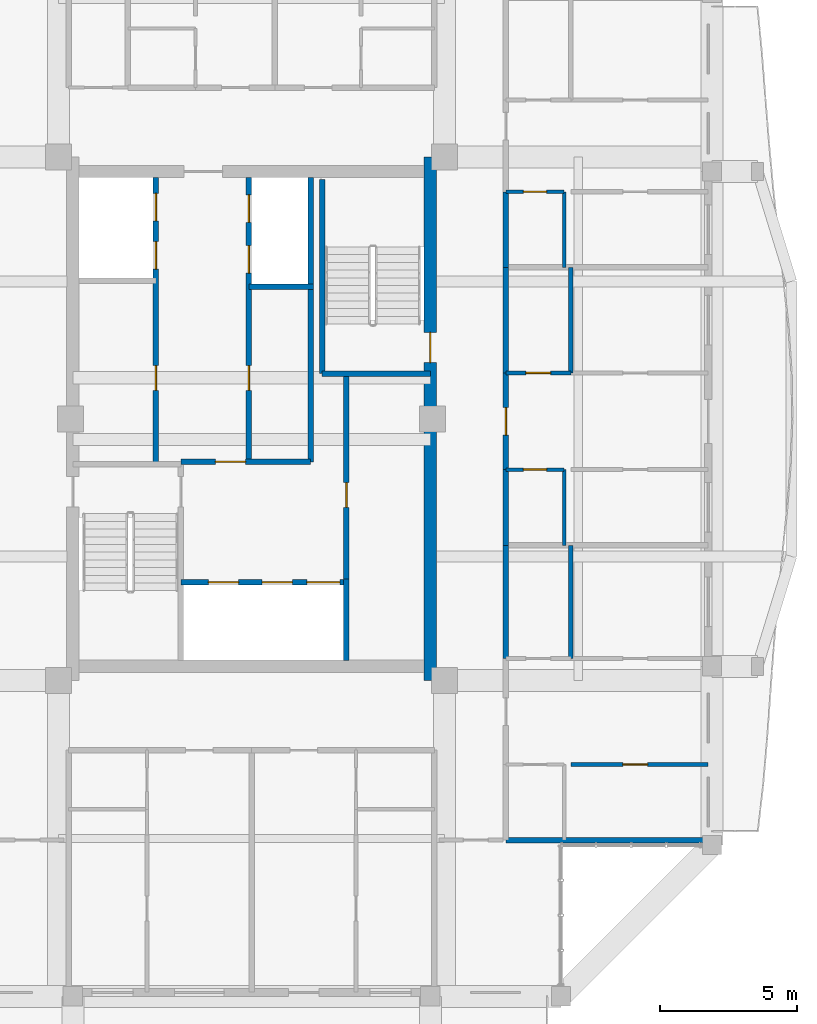
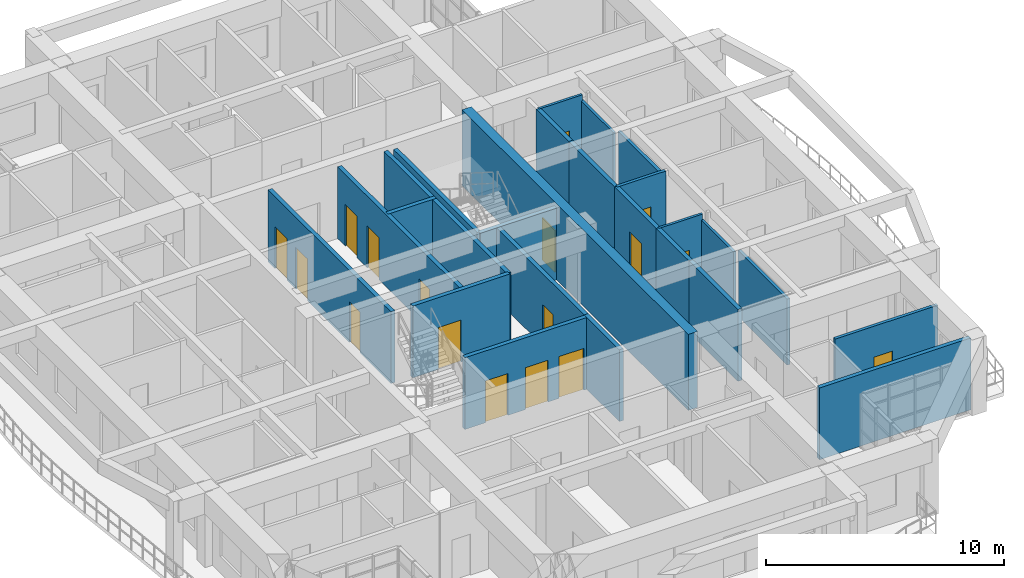
# One storey, part 18 of 27: 26 walls, 17 doors, 17 openings.
"""IFC4 building model written with IfcOpenShell, lengths in metres."""

from ifc_helpers import new_model, si_unit, direction, frame, frame_2d, origin, place, context, subcontext, project, spatial, rectangle, extrude, source, transform, mapped, material, layer, layer_set, type_object, element, fill, save


model = new_model("IFC4")

# Units and contexts
model_context = context("Model", 3, precision=1e-05, world=origin(), true_north=direction((0.0, 1.0)))
body_context = subcontext(model_context, "Body", "Model", "MODEL_VIEW")
ifc_project = project(units=[si_unit("LENGTHUNIT", "METRE"), si_unit("AREAUNIT", "SQUARE_METRE"), si_unit("VOLUMEUNIT", "CUBIC_METRE"), si_unit("PLANEANGLEUNIT", "RADIAN"), si_unit("MASSUNIT", "GRAM", prefix="KILO")], contexts=[model_context])

# Site, building, storey
site_placement = place(None, origin())
site = spatial("IfcSite", under=ifc_project, at=site_placement, CompositionType="ELEMENT")
building_placement = place(site_placement, origin())
building = spatial("IfcBuilding", under=site, at=building_placement, Name="Saelheon Loggia Tower", CompositionType="ELEMENT")
storey_placement = place(building_placement, frame((0.0, 0.0, 226.199951171875)))
storey = spatial("IfcBuildingStorey", under=building, at=storey_placement, Name="L70", CompositionType="ELEMENT", Elevation=226.199951171875)

# Wall, opening, door
ifc_material_1 = material(Name="Concrete C45/55", Category="concrete")
ifc_layer_1 = layer(ifc_material_1, 0.449951171875)
ifc_layer_set_1 = layer_set([ifc_layer_1], Name="Concrete C45/55")
wall_type_1 = type_object("IfcWallType", Name="Wall_CoreShear_450", PredefinedType="SHEAR", material=ifc_layer_set_1)
wall_1_placement = place(storey_placement, frame((44.5, 17.47998046875, 0.0), z_axis=(0.0, 0.0, 1.0), x_axis=(0.0, 1.0, 0.0)))
wall_1 = element("IfcWall", 1, at=wall_1_placement, inside=storey, type_object=wall_type_1, Name="L70 Core Shear Wall East", PredefinedType="SHEAR", context=body_context, shape_type="SweptSolid", body=[
    extrude(rectangle(XDim=19.0400390625, YDim=0.449951171875, at=frame_2d((9.52001953125, 0.0))), origin(), (0.0, 0.0, 1.0), 3.900146484375),
])
opening_1_placement = place(wall_1_placement, frame((12.670166015625, 0.0, 0.0), z_axis=(0.0, 0.0, 1.0), x_axis=(-1.0, 0.0, 0.0)))
opening_1 = element("IfcOpeningElement", 2, at=opening_1_placement, cuts=wall_1, Name="Opening D-FD2", PredefinedType="OPENING", context=body_context, shape_type="SweptSolid", body=[
    extrude(rectangle(XDim=1.10009765625, YDim=2.14990234375, at=frame_2d((0.550048828125, 1.074951171875))), frame((0.0, 0.237060546875, 0.0), z_axis=(0.0, -1.0, 0.0), x_axis=(1.0, 0.0, 0.0)), (0.0, 0.0, 1.0), 0.473876953125),
])
ifc_material_2 = material(Name="Galvanised Steel Fire Door", Category="steel")
door_type_1 = type_object("IfcDoorType", Name="Door_Fire_FD60_1100", OperationType="NOTDEFINED", PredefinedType="DOOR", material=ifc_material_2)
shared_shape_1 = source(origin(), body_context, "Body", "SweptSolid", [
    extrude(rectangle(XDim=1.10009765625, YDim=2.14990234375, at=frame_2d((0.550048828125, 1.074951171875))), frame((0.0, 0.02490234375, 0.0), z_axis=(0.0, -1.0, 0.0), x_axis=(1.0, 0.0, 0.0)), (0.0, 0.0, 1.0), 0.050048828125),
])
door_1_placement = place(opening_1_placement, origin())
door_1 = element("IfcDoor", 3, at=door_1_placement, inside=storey, type_object=door_type_1, Name="L70 Stair ST2 Corridor Door", OperationType="SINGLE_SWING_RIGHT", OverallHeight=2.14990234375, OverallWidth=1.10009765625, PredefinedType="DOOR", context=body_context, shape_type="MappedRepresentation", body=[
    mapped(shared_shape_1, transform((0.0, 0.0, 0.0), scale=1.0)),
])
fill(opening_1, door_1)

# Wall
ifc_material_3 = material(Name="Lightweight Autoclaved Aerated Concrete Block and Acoustic Gypsum", Category="concrete")
ifc_layer_2 = layer(ifc_material_3, 0.14990234375)
ifc_layer_set_2 = layer_set([ifc_layer_2], Name="Lightweight Autoclaved Aerated Concrete Block and Acoustic Gypsum")
wall_type_2 = type_object("IfcWallType", Name="Wall_Part_150", PredefinedType="PARTITIONING", material=ifc_layer_set_2)
wall_2_placement = place(storey_placement, frame((49.610107421875, 18.280029296875, 0.0), z_axis=(0.0, 0.0, 1.0), x_axis=(0.0, 1.0, 0.0)))
element("IfcWall", 4, at=wall_2_placement, inside=storey, type_object=wall_type_2, Name="L70 E Partition V07", PredefinedType="PARTITIONING", context=body_context, shape_type="SweptSolid", body=[
    extrude(rectangle(XDim=4.1240234375, YDim=0.14990234375, at=frame_2d((2.06201171875, 0.0))), origin(), (0.0, 0.0, 1.0), 3.39013671875),
])

# Wall, opening, door
wall_3_placement = place(storey_placement, frame((49.610107421875, 14.429931640625, 0.0), z_axis=(0.0, 0.0, 1.0), x_axis=(1.0, 0.0, 0.0)))
wall_3 = element("IfcWall", 5, at=wall_3_placement, inside=storey, type_object=wall_type_2, Name="L70 E Partition U09", PredefinedType="PARTITIONING", context=body_context, shape_type="SweptSolid", body=[
    extrude(rectangle(XDim=4.989990234375, YDim=0.14990234375, at=frame_2d((2.4951171875, 0.0))), origin(), (0.0, 0.0, 1.0), 3.68994140625),
])
opening_2_placement = place(wall_3_placement, frame((1.89453125, 0.0, 0.0)))
opening_2 = element("IfcOpeningElement", 6, at=opening_2_placement, cuts=wall_3, Name="Opening D-IN2", PredefinedType="OPENING", context=body_context, shape_type="SweptSolid", body=[
    extrude(rectangle(XDim=0.89990234375, YDim=2.10009765625, at=frame_2d((0.449951171875, 1.050048828125))), frame((0.0, 0.0869140625, 0.0), z_axis=(0.0, -1.0, 0.0), x_axis=(1.0, 0.0, 0.0)), (0.0, 0.0, 1.0), 0.173828125),
])
ifc_material_4 = material(Name="Engineered Oak Flush Door", Category="timber")
door_type_2 = type_object("IfcDoorType", Name="Door_Int_900", OperationType="NOTDEFINED", PredefinedType="DOOR", material=ifc_material_4)
shared_shape_2 = source(origin(), body_context, "Body", "SweptSolid", [
    extrude(rectangle(XDim=0.89990234375, YDim=2.10009765625, at=frame_2d((0.449951171875, 1.050048828125))), frame((0.0, 0.02490234375, 0.0), z_axis=(0.0, -1.0, 0.0), x_axis=(1.0, 0.0, 0.0)), (0.0, 0.0, 1.0), 0.050048828125),
])
door_2_placement = place(opening_2_placement, origin())
door_2 = element("IfcDoor", 7, at=door_2_placement, inside=storey, type_object=door_type_2, Name="Unit U08 Kitchen Door", OperationType="SINGLE_SWING_RIGHT", OverallHeight=2.10009765625, OverallWidth=0.89990234375, PredefinedType="DOOR", context=body_context, shape_type="MappedRepresentation", body=[
    mapped(shared_shape_2, transform((0.0, 0.0, 0.0), scale=1.0)),
])
fill(opening_2, door_2)

# Wall
wall_4_placement = place(storey_placement, frame((49.610107421875, 28.6728515625, 0.0), z_axis=(0.0, 0.0, 1.0), x_axis=(0.0, 1.0, 0.0)))
element("IfcWall", 8, at=wall_4_placement, inside=storey, type_object=wall_type_2, Name="L70 E Partition V17", PredefinedType="PARTITIONING", context=body_context, shape_type="SweptSolid", body=[
    extrude(rectangle(XDim=3.84228515625, YDim=0.14990234375, at=frame_2d((1.921142578125, 0.0))), origin(), (0.0, 0.0, 1.0), 3.39013671875),
])

# Wall, opening, door
wall_5_placement = place(storey_placement, frame((47.25, 28.6728515625, 0.0), z_axis=(0.0, 0.0, 1.0), x_axis=(1.0, 0.0, 0.0)))
wall_5 = element("IfcWall", 9, at=wall_5_placement, inside=storey, type_object=wall_type_2, Name="L70 E Partition U20", PredefinedType="PARTITIONING", context=body_context, shape_type="SweptSolid", body=[
    extrude(rectangle(XDim=2.360107421875, YDim=0.14990234375, at=frame_2d((1.18017578125, 0.0))), origin(), (0.0, 0.0, 1.0), 3.68994140625),
])
opening_3_placement = place(wall_5_placement, frame((0.72998046875, 0.0, 0.0)))
opening_3 = element("IfcOpeningElement", 10, at=opening_3_placement, cuts=wall_5, Name="Opening D-IN2", PredefinedType="OPENING", context=body_context, shape_type="SweptSolid", body=[
    extrude(rectangle(XDim=0.89990234375, YDim=2.10009765625, at=frame_2d((0.449951171875, 1.050048828125))), frame((0.0, 0.0869140625, 0.0), z_axis=(0.0, -1.0, 0.0), x_axis=(1.0, 0.0, 0.0)), (0.0, 0.0, 1.0), 0.173828125),
])
door_3_placement = place(opening_3_placement, origin())
door_3 = element("IfcDoor", 11, at=door_3_placement, inside=storey, type_object=door_type_2, Name="Unit U09 Dressing Closet Door", OperationType="SINGLE_SWING_RIGHT", OverallHeight=2.10009765625, OverallWidth=0.89990234375, PredefinedType="DOOR", context=body_context, shape_type="MappedRepresentation", body=[
    mapped(shared_shape_2, transform((0.0, 0.0, 0.0), scale=1.0)),
])
fill(opening_3, door_3)

# Walls
ifc_material_5 = material(Name="Double Acoustic Stud and Fireboard Partition", Category="gypsum")
ifc_layer_3 = layer(ifc_material_5, 0.199951171875)
ifc_layer_set_3 = layer_set([ifc_layer_3], Name="Double Acoustic Stud and Fireboard Partition")
wall_type_3 = type_object("IfcWallType", Name="Wall_Party_200", PredefinedType="PARTITIONING", material=ifc_layer_set_3)
wall_6_placement = place(storey_placement, frame((47.25, 11.679931640625, 0.0), z_axis=(0.0, 0.0, 1.0), x_axis=(1.0, 0.0, 0.0)))
element("IfcWall", 12, at=wall_6_placement, inside=storey, type_object=wall_type_3, Name="L70 E Partition U01", PredefinedType="PARTITIONING", context=body_context, shape_type="SweptSolid", body=[
    extrude(rectangle(XDim=7.35009765625, YDim=0.199951171875, at=frame_2d((3.675048828125, 0.0))), origin(), (0.0, 0.0, 1.0), 3.68994140625),
])
wall_7_placement = place(storey_placement, frame((47.25, 18.280029296875, 0.0), z_axis=(0.0, 0.0, 1.0), x_axis=(0.0, 1.0, 0.0)))
element("IfcWall", 13, at=wall_7_placement, inside=storey, type_object=wall_type_3, Name="L70 E Partition V05", PredefinedType="PARTITIONING", context=body_context, shape_type="SweptSolid", body=[
    extrude(rectangle(XDim=4.1240234375, YDim=0.199951171875, at=frame_2d((2.06201171875, 0.0))), origin(), (0.0, 0.0, 1.0), 3.68994140625),
])
wall_8_placement = place(storey_placement, frame((47.25, 22.404052734375, 0.0), z_axis=(0.0, 0.0, 1.0), x_axis=(0.0, 1.0, 0.0)))
element("IfcWall", 14, at=wall_8_placement, inside=storey, type_object=wall_type_3, Name="L70 E Partition V13", PredefinedType="PARTITIONING", context=body_context, shape_type="SweptSolid", body=[
    extrude(rectangle(XDim=2.75, YDim=0.199951171875, at=frame_2d((1.375, 0.0))), origin(), (0.0, 0.0, 1.0), 3.68994140625),
])

# Wall, opening, door
wall_9_placement = place(storey_placement, frame((47.25, 25.154052734375, 0.0), z_axis=(0.0, 0.0, 1.0), x_axis=(0.0, 1.0, 0.0)))
wall_9 = element("IfcWall", 15, at=wall_9_placement, inside=storey, type_object=wall_type_3, Name="L70 E Partition V14", PredefinedType="PARTITIONING", context=body_context, shape_type="SweptSolid", body=[
    extrude(rectangle(XDim=3.518798828125, YDim=0.199951171875, at=frame_2d((1.75927734375, 0.0))), origin(), (0.0, 0.0, 1.0), 3.68994140625),
])
opening_4_placement = place(wall_9_placement, frame((1.259521484375, 0.0, 0.0)))
opening_4 = element("IfcOpeningElement", 16, at=opening_4_placement, cuts=wall_9, Name="Opening D-FD1", PredefinedType="OPENING", context=body_context, shape_type="SweptSolid", body=[
    extrude(rectangle(XDim=1.0, YDim=2.14990234375, at=frame_2d((0.5, 1.074951171875))), frame((0.0, 0.112060546875, 0.0), z_axis=(0.0, -1.0, 0.0), x_axis=(1.0, 0.0, 0.0)), (0.0, 0.0, 1.0), 0.223876953125),
])
ifc_material_6 = material(Name="Fire-Rated Engineered Timber Entrance Door", Category="wood")
door_type_3 = type_object("IfcDoorType", Name="Door_Flat_FD30S", OperationType="NOTDEFINED", PredefinedType="DOOR", material=ifc_material_6)
shared_shape_3 = source(origin(), body_context, "Body", "SweptSolid", [
    extrude(rectangle(XDim=1.0, YDim=2.14990234375, at=frame_2d((0.5, 1.074951171875))), frame((0.0, 0.02490234375, 0.0), z_axis=(0.0, -1.0, 0.0), x_axis=(1.0, 0.0, 0.0)), (0.0, 0.0, 1.0), 0.050048828125),
])
door_4_placement = place(opening_4_placement, origin())
door_4 = element("IfcDoor", 17, at=door_4_placement, inside=storey, type_object=door_type_3, Name="Unit U09 Entrance Door", OperationType="SINGLE_SWING_LEFT", OverallHeight=2.14990234375, OverallWidth=1.0, PredefinedType="DOOR", context=body_context, shape_type="MappedRepresentation", body=[
    mapped(shared_shape_3, transform((0.0, 0.0, 0.0), scale=1.0)),
])
fill(opening_4, door_4)

# Walls
wall_10_placement = place(storey_placement, frame((47.25, 28.6728515625, 0.0), z_axis=(0.0, 0.0, 1.0), x_axis=(0.0, 1.0, 0.0)))
element("IfcWall", 18, at=wall_10_placement, inside=storey, type_object=wall_type_3, Name="L70 E Partition V15", PredefinedType="PARTITIONING", context=body_context, shape_type="SweptSolid", body=[
    extrude(rectangle(XDim=3.84228515625, YDim=0.199951171875, at=frame_2d((1.921142578125, 0.0))), origin(), (0.0, 0.0, 1.0), 3.68994140625),
])
wall_11_placement = place(storey_placement, frame((47.25, 32.51513671875, 0.0), z_axis=(0.0, 0.0, 1.0), x_axis=(0.0, 1.0, 0.0)))
element("IfcWall", 19, at=wall_11_placement, inside=storey, type_object=wall_type_3, Name="L70 E Partition V23", PredefinedType="PARTITIONING", context=body_context, shape_type="SweptSolid", body=[
    extrude(rectangle(XDim=2.745361328125, YDim=0.199951171875, at=frame_2d((1.37255859375, 0.0))), origin(), (0.0, 0.0, 1.0), 3.68994140625),
])
ifc_material_7 = material(Name="Concrete C40/50", Category="concrete")
ifc_layer_4 = layer(ifc_material_7, 0.199951171875)
ifc_layer_set_4 = layer_set([ifc_layer_4], Name="Concrete C40/50")
wall_type_4 = type_object("IfcWallType", Name="Wall_Shaft_200", PredefinedType="PARTITIONING", material=ifc_layer_set_4)
wall_12_placement = place(storey_placement, frame((41.449951171875, 18.219970703125, 0.0), z_axis=(0.0, 0.0, 1.0), x_axis=(0.0, 1.0, 0.0)))
element("IfcWall", 20, at=wall_12_placement, inside=storey, type_object=wall_type_4, Name="CW-INT-L70-BOH-W0", PredefinedType="PARTITIONING", context=body_context, shape_type="SweptSolid", body=[
    extrude(rectangle(XDim=2.9599609375, YDim=0.199951171875, at=frame_2d((1.47998046875, 0.0))), origin(), (0.0, 0.0, 1.0), 3.68994140625),
])

# Wall, opening, door
wall_13_placement = place(storey_placement, frame((41.449951171875, 21.179931640625, 0.0), z_axis=(0.0, 0.0, 1.0), x_axis=(0.0, 1.0, 0.0)))
wall_13 = element("IfcWall", 21, at=wall_13_placement, inside=storey, type_object=wall_type_4, Name="CW-INT-L70-BOH-W1", PredefinedType="PARTITIONING", context=body_context, shape_type="SweptSolid", body=[
    extrude(rectangle(XDim=7.420166015625, YDim=0.199951171875, at=frame_2d((3.7099609375, 0.0))), origin(), (0.0, 0.0, 1.0), 3.68994140625),
])
opening_5_placement = place(wall_13_placement, frame((2.60009765625, 0.0, 0.0)))
opening_5 = element("IfcOpeningElement", 22, at=opening_5_placement, cuts=wall_13, Name="Opening D-RS1", PredefinedType="OPENING", context=body_context, shape_type="SweptSolid", body=[
    extrude(rectangle(XDim=0.89990234375, YDim=2.10009765625, at=frame_2d((0.449951171875, 1.050048828125))), frame((0.0, 0.112060546875, 0.0), z_axis=(0.0, -1.0, 0.0), x_axis=(1.0, 0.0, 0.0)), (0.0, 0.0, 1.0), 0.223876953125),
])
ifc_material_8 = material(Name="Galvanised Steel Riser Access Door", Category="steel")
door_type_4 = type_object("IfcDoorType", Name="Door_Riser_FD60", OperationType="NOTDEFINED", PredefinedType="DOOR", material=ifc_material_8)
door_5_placement = place(opening_5_placement, origin())
door_5 = element("IfcDoor", 23, at=door_5_placement, inside=storey, type_object=door_type_4, Name="L70 Core Service Store Door", OperationType="SINGLE_SWING_LEFT", OverallHeight=2.10009765625, OverallWidth=0.89990234375, PredefinedType="DOOR", context=body_context, shape_type="MappedRepresentation", body=[
    mapped(shared_shape_2, transform((0.0, 0.0, 0.0), scale=1.0)),
])
fill(opening_5, door_5)

# Walls
wall_14_placement = place(storey_placement, frame((40.14990234375, 25.43994140625, 0.0), z_axis=(0.0, 0.0, 1.0), x_axis=(0.0, 1.0, 0.0)))
element("IfcWall", 24, at=wall_14_placement, inside=storey, type_object=wall_type_4, Name="L70 Core Service Passage West Wall", PredefinedType="PARTITIONING", context=body_context, shape_type="SweptSolid", body=[
    extrude(rectangle(XDim=6.360107421875, YDim=0.199951171875, at=frame_2d((3.18017578125, 0.0))), origin(), (0.0, 0.0, 1.0), 3.68994140625),
])
wall_15_placement = place(storey_placement, frame((40.14990234375, 31.800048828125, 0.0), z_axis=(0.0, 0.0, 1.0), x_axis=(0.0, 1.0, 0.0)))
element("IfcWall", 25, at=wall_15_placement, inside=storey, type_object=wall_type_4, Name="L70 East High-Rise Hoistway East Wall", PredefinedType="PARTITIONING", context=body_context, shape_type="SweptSolid", body=[
    extrude(rectangle(XDim=3.97998046875, YDim=0.199951171875, at=frame_2d((1.989990234375, 0.0))), origin(), (0.0, 0.0, 1.0), 3.68994140625),
])

# Wall, openings, doors
wall_16_placement = place(storey_placement, frame((35.429931640625, 21.06005859375, 0.0), z_axis=(0.0, 0.0, 1.0), x_axis=(1.0, 0.0, 0.0)))
wall_16 = element("IfcWall", 26, at=wall_16_placement, inside=storey, type_object=wall_type_4, Name="L70 Firefighting Lift Shaft Front Wall", PredefinedType="PARTITIONING", context=body_context, shape_type="SweptSolid", body=[
    extrude(rectangle(XDim=6.02001953125, YDim=0.199951171875, at=frame_2d((3.010009765625, 0.0))), origin(), (0.0, 0.0, 1.0), 3.68994140625),
])
opening_6_placement = place(wall_16_placement, frame((1.0, 0.0, 0.0)))
opening_6 = element("IfcOpeningElement", 27, at=opening_6_placement, cuts=wall_16, Name="Opening LD2", PredefinedType="OPENING", context=body_context, shape_type="SweptSolid", body=[
    extrude(rectangle(XDim=1.10009765625, YDim=2.14990234375, at=frame_2d((0.550048828125, 1.074951171875))), frame((0.0, 0.112060546875, 0.0), z_axis=(0.0, -1.0, 0.0), x_axis=(1.0, 0.0, 0.0)), (0.0, 0.0, 1.0), 0.223876953125),
])
opening_7_placement = place(wall_16_placement, frame((2.949951171875, 0.0, 0.0)))
opening_7 = element("IfcOpeningElement", 28, at=opening_7_placement, cuts=wall_16, Name="Opening LD2", PredefinedType="OPENING", context=body_context, shape_type="SweptSolid", body=[
    extrude(rectangle(XDim=1.10009765625, YDim=2.14990234375, at=frame_2d((0.550048828125, 1.074951171875))), frame((0.0, 0.112060546875, 0.0), z_axis=(0.0, -1.0, 0.0), x_axis=(1.0, 0.0, 0.0)), (0.0, 0.0, 1.0), 0.223876953125),
])
opening_8_placement = place(wall_16_placement, frame((4.580078125, 0.0, 0.0)))
opening_8 = element("IfcOpeningElement", 29, at=opening_8_placement, cuts=wall_16, Name="Opening LD3", PredefinedType="OPENING", context=body_context, shape_type="SweptSolid", body=[
    extrude(rectangle(XDim=1.199951171875, YDim=2.14990234375, at=frame_2d((0.60009765625, 1.074951171875))), frame((0.0, 0.112060546875, 0.0), z_axis=(0.0, -1.0, 0.0), x_axis=(1.0, 0.0, 0.0)), (0.0, 0.0, 1.0), 0.223876953125),
])
ifc_material_9 = material(Name="Firefighting Stainless Steel 316 Landing Door", Category="steel")
door_type_5 = type_object("IfcDoorType", Name="Door_Lift_LD2", OperationType="DOUBLE_DOOR_SLIDING", PredefinedType="DOOR", material=ifc_material_9)
door_6_placement = place(opening_6_placement, origin())
door_6 = element("IfcDoor", 30, at=door_6_placement, inside=storey, type_object=door_type_5, Name="L70 FF1 Landing Door", OperationType="DOUBLE_DOOR_SLIDING", OverallHeight=2.14990234375, OverallWidth=1.10009765625, PredefinedType="DOOR", context=body_context, shape_type="MappedRepresentation", body=[
    mapped(shared_shape_1, transform((0.0, 0.0, 0.0), scale=1.0)),
])
fill(opening_6, door_6)
door_7_placement = place(opening_7_placement, origin())
door_7 = element("IfcDoor", 31, at=door_7_placement, inside=storey, type_object=door_type_5, Name="L70 FF2 Landing Door", OperationType="DOUBLE_DOOR_SLIDING", OverallHeight=2.14990234375, OverallWidth=1.10009765625, PredefinedType="DOOR", context=body_context, shape_type="MappedRepresentation", body=[
    mapped(shared_shape_1, transform((0.0, 0.0, 0.0), scale=1.0)),
])
fill(opening_7, door_7)
ifc_material_10 = material(Name="Stretcher Lift Stainless Steel 304 Landing Door", Category="steel")
door_type_6 = type_object("IfcDoorType", Name="Door_Lift_LD3", OperationType="DOUBLE_DOOR_SLIDING", PredefinedType="DOOR", material=ifc_material_10)
shared_shape_4 = source(origin(), body_context, "Body", "SweptSolid", [
    extrude(rectangle(XDim=1.199951171875, YDim=2.14990234375, at=frame_2d((0.60009765625, 1.074951171875))), frame((0.0, 0.02490234375, 0.0), z_axis=(0.0, -1.0, 0.0), x_axis=(1.0, 0.0, 0.0)), (0.0, 0.0, 1.0), 0.050048828125),
])
door_8_placement = place(opening_8_placement, origin())
door_8 = element("IfcDoor", 32, at=door_8_placement, inside=storey, type_object=door_type_6, Name="L70 SV1 Landing Door", OperationType="DOUBLE_DOOR_SLIDING", OverallHeight=2.14990234375, OverallWidth=1.199951171875, PredefinedType="DOOR", context=body_context, shape_type="MappedRepresentation", body=[
    mapped(shared_shape_4, transform((0.0, 0.0, 0.0), scale=1.0)),
])
fill(opening_8, door_8)

# Wall, opening, door
wall_17_placement = place(storey_placement, frame((35.429931640625, 25.43994140625, 0.0), z_axis=(0.0, 0.0, 1.0), x_axis=(1.0, 0.0, 0.0)))
wall_17 = element("IfcWall", 33, at=wall_17_placement, inside=storey, type_object=wall_type_4, Name="L70 Firefighting Lobby Compartment Wall", PredefinedType="PARTITIONING", context=body_context, shape_type="SweptSolid", body=[
    extrude(rectangle(XDim=4.719970703125, YDim=0.199951171875, at=frame_2d((2.35986328125, 0.0))), origin(), (0.0, 0.0, 1.0), 3.68994140625),
])
opening_9_placement = place(wall_17_placement, frame((1.25, 0.0, 0.0)))
opening_9 = element("IfcOpeningElement", 34, at=opening_9_placement, cuts=wall_17, Name="Opening D-FD2", PredefinedType="OPENING", context=body_context, shape_type="SweptSolid", body=[
    extrude(rectangle(XDim=1.10009765625, YDim=2.14990234375, at=frame_2d((0.550048828125, 1.074951171875))), frame((0.0, 0.112060546875, 0.0), z_axis=(0.0, -1.0, 0.0), x_axis=(1.0, 0.0, 0.0)), (0.0, 0.0, 1.0), 0.223876953125),
])
door_9_placement = place(opening_9_placement, origin())
door_9 = element("IfcDoor", 35, at=door_9_placement, inside=storey, type_object=door_type_1, Name="L70 Firefighting Lobby Door", OperationType="SINGLE_SWING_RIGHT", OverallHeight=2.14990234375, OverallWidth=1.10009765625, PredefinedType="DOOR", context=body_context, shape_type="MappedRepresentation", body=[
    mapped(shared_shape_1, transform((0.0, 0.0, 0.0), scale=1.0)),
])
fill(opening_9, door_9)

# Wall, openings, doors
wall_18_placement = place(storey_placement, frame((34.52001953125, 25.43994140625, 0.0), z_axis=(0.0, 0.0, 1.0), x_axis=(0.0, 1.0, 0.0)))
wall_18 = element("IfcWall", 36, at=wall_18_placement, inside=storey, type_object=wall_type_4, Name="L70 West Passenger Lift Bank Wall", PredefinedType="PARTITIONING", context=body_context, shape_type="SweptSolid", body=[
    extrude(rectangle(XDim=10.340087890625, YDim=0.199951171875, at=frame_2d((5.169921875, 0.0))), origin(), (0.0, 0.0, 1.0), 3.68994140625),
])
opening_10_placement = place(wall_18_placement, frame((2.60009765625, 0.0, 0.0)))
opening_10 = element("IfcOpeningElement", 37, at=opening_10_placement, cuts=wall_18, Name="Opening D-RS1", PredefinedType="OPENING", context=body_context, shape_type="SweptSolid", body=[
    extrude(rectangle(XDim=0.89990234375, YDim=2.10009765625, at=frame_2d((0.449951171875, 1.050048828125))), frame((0.0, 0.112060546875, 0.0), z_axis=(0.0, -1.0, 0.0), x_axis=(1.0, 0.0, 0.0)), (0.0, 0.0, 1.0), 0.223876953125),
])
opening_11_placement = place(wall_18_placement, frame((7.010009765625, 0.0, 0.0)))
opening_11 = element("IfcOpeningElement", 38, at=opening_11_placement, cuts=wall_18, Name="Opening LD1", PredefinedType="OPENING", context=body_context, shape_type="SweptSolid", body=[
    extrude(rectangle(XDim=1.0, YDim=2.14990234375, at=frame_2d((0.5, 1.074951171875))), frame((0.0, 0.112060546875, 0.0), z_axis=(0.0, -1.0, 0.0), x_axis=(1.0, 0.0, 0.0)), (0.0, 0.0, 1.0), 0.223876953125),
])
opening_12_placement = place(wall_18_placement, frame((8.760009765625, 0.0, 0.0)))
opening_12 = element("IfcOpeningElement", 39, at=opening_12_placement, cuts=wall_18, Name="Opening LD1", PredefinedType="OPENING", context=body_context, shape_type="SweptSolid", body=[
    extrude(rectangle(XDim=1.0, YDim=2.14990234375, at=frame_2d((0.5, 1.074951171875))), frame((0.0, 0.112060546875, 0.0), z_axis=(0.0, -1.0, 0.0), x_axis=(1.0, 0.0, 0.0)), (0.0, 0.0, 1.0), 0.223876953125),
])
door_10_placement = place(opening_10_placement, origin())
door_10 = element("IfcDoor", 40, at=door_10_placement, inside=storey, type_object=door_type_4, Name="L70 Core Parcel Room Door", OperationType="SINGLE_SWING_RIGHT", OverallHeight=2.10009765625, OverallWidth=0.89990234375, PredefinedType="DOOR", context=body_context, shape_type="MappedRepresentation", body=[
    mapped(shared_shape_2, transform((0.0, 0.0, 0.0), scale=1.0)),
])
fill(opening_10, door_10)
ifc_material_11 = material(Name="Brushed Stainless Steel 304 Landing Door", Category="steel")
door_type_7 = type_object("IfcDoorType", Name="Door_Lift_LD1", OperationType="DOUBLE_DOOR_SLIDING", PredefinedType="DOOR", material=ifc_material_11)
door_11_placement = place(opening_11_placement, origin())
door_11 = element("IfcDoor", 41, at=door_11_placement, inside=storey, type_object=door_type_7, Name="L70 PH1 Landing Door", OperationType="DOUBLE_DOOR_SLIDING", OverallHeight=2.14990234375, OverallWidth=1.0, PredefinedType="DOOR", context=body_context, shape_type="MappedRepresentation", body=[
    mapped(shared_shape_3, transform((0.0, 0.0, 0.0), scale=1.0)),
])
fill(opening_11, door_11)
door_12_placement = place(opening_12_placement, origin())
door_12 = element("IfcDoor", 42, at=door_12_placement, inside=storey, type_object=door_type_7, Name="L70 PH2 Landing Door", OperationType="DOUBLE_DOOR_SLIDING", OverallHeight=2.14990234375, OverallWidth=1.0, PredefinedType="DOOR", context=body_context, shape_type="MappedRepresentation", body=[
    mapped(shared_shape_3, transform((0.0, 0.0, 0.0), scale=1.0)),
])
fill(opening_12, door_12)

wall_19_placement = place(storey_placement, frame((37.89990234375, 25.43994140625, 0.0), z_axis=(0.0, 0.0, 1.0), x_axis=(0.0, 1.0, 0.0)))
wall_19 = element("IfcWall", 43, at=wall_19_placement, inside=storey, type_object=wall_type_4, Name="L70 East Passenger Lift Bank Wall", PredefinedType="PARTITIONING", context=body_context, shape_type="SweptSolid", body=[
    extrude(rectangle(XDim=10.340087890625, YDim=0.199951171875, at=frame_2d((5.169921875, 0.0))), origin(), (0.0, 0.0, 1.0), 3.68994140625),
])
opening_13_placement = place(wall_19_placement, frame((2.60009765625, 0.0, 0.0)))
opening_13 = element("IfcOpeningElement", 44, at=opening_13_placement, cuts=wall_19, Name="Opening D-RS1", PredefinedType="OPENING", context=body_context, shape_type="SweptSolid", body=[
    extrude(rectangle(XDim=0.89990234375, YDim=2.10009765625, at=frame_2d((0.449951171875, 1.050048828125))), frame((0.0, 0.112060546875, 0.0), z_axis=(0.0, -1.0, 0.0), x_axis=(1.0, 0.0, 0.0)), (0.0, 0.0, 1.0), 0.223876953125),
])
opening_14_placement = place(wall_19_placement, frame((6.860107421875, 0.0, 0.0)))
opening_14 = element("IfcOpeningElement", 45, at=opening_14_placement, cuts=wall_19, Name="Opening LD1", PredefinedType="OPENING", context=body_context, shape_type="SweptSolid", body=[
    extrude(rectangle(XDim=1.0, YDim=2.14990234375, at=frame_2d((0.5, 1.074951171875))), frame((0.0, 0.112060546875, 0.0), z_axis=(0.0, -1.0, 0.0), x_axis=(1.0, 0.0, 0.0)), (0.0, 0.0, 1.0), 0.223876953125),
])
opening_15_placement = place(wall_19_placement, frame((8.7099609375, 0.0, 0.0)))
opening_15 = element("IfcOpeningElement", 46, at=opening_15_placement, cuts=wall_19, Name="Opening LD1", PredefinedType="OPENING", context=body_context, shape_type="SweptSolid", body=[
    extrude(rectangle(XDim=1.0, YDim=2.14990234375, at=frame_2d((0.5, 1.074951171875))), frame((0.0, 0.112060546875, 0.0), z_axis=(0.0, -1.0, 0.0), x_axis=(1.0, 0.0, 0.0)), (0.0, 0.0, 1.0), 0.223876953125),
])
door_13_placement = place(opening_13_placement, origin())
door_13 = element("IfcDoor", 47, at=door_13_placement, inside=storey, type_object=door_type_4, Name="L70 Upper Storage Room Door", OperationType="SINGLE_SWING_LEFT", OverallHeight=2.10009765625, OverallWidth=0.89990234375, PredefinedType="DOOR", context=body_context, shape_type="MappedRepresentation", body=[
    mapped(shared_shape_2, transform((0.0, 0.0, 0.0), scale=1.0)),
])
fill(opening_13, door_13)
door_14_placement = place(opening_14_placement, origin())
door_14 = element("IfcDoor", 48, at=door_14_placement, inside=storey, type_object=door_type_7, Name="L70 PH3 Landing Door", OperationType="DOUBLE_DOOR_SLIDING", OverallHeight=2.14990234375, OverallWidth=1.0, PredefinedType="DOOR", context=body_context, shape_type="MappedRepresentation", body=[
    mapped(shared_shape_3, transform((0.0, 0.0, 0.0), scale=1.0)),
])
fill(opening_14, door_14)
door_15_placement = place(opening_15_placement, origin())
door_15 = element("IfcDoor", 49, at=door_15_placement, inside=storey, type_object=door_type_7, Name="L70 PH4 Landing Door", OperationType="DOUBLE_DOOR_SLIDING", OverallHeight=2.14990234375, OverallWidth=1.0, PredefinedType="DOOR", context=body_context, shape_type="MappedRepresentation", body=[
    mapped(shared_shape_3, transform((0.0, 0.0, 0.0), scale=1.0)),
])
fill(opening_15, door_15)

# Walls
wall_20_placement = place(storey_placement, frame((37.89990234375, 31.800048828125, 0.0), z_axis=(0.0, 0.0, 1.0), x_axis=(1.0, 0.0, 0.0)))
element("IfcWall", 50, at=wall_20_placement, inside=storey, type_object=wall_type_4, Name="L70 East High-Rise Shaft Divider", PredefinedType="PARTITIONING", context=body_context, shape_type="SweptSolid", body=[
    extrude(rectangle(XDim=2.35009765625, YDim=0.199951171875, at=frame_2d((1.175048828125, 0.0))), origin(), (0.0, 0.0, 1.0), 3.68994140625),
])
ifc_layer_5 = layer(ifc_material_1, 0.199951171875)
ifc_layer_set_5 = layer_set([ifc_layer_5], Name="Concrete C45/55")
wall_type_5 = type_object("IfcWallType", Name="Wall_StairShaft_RC200", PredefinedType="SOLIDWALL", material=ifc_layer_set_5)
wall_21_placement = place(storey_placement, frame((40.570068359375, 28.64990234375, 0.0), z_axis=(0.0, 0.0, 1.0), x_axis=(0.0, 1.0, 0.0)))
element("IfcWall", 51, at=wall_21_placement, inside=storey, type_object=wall_type_5, Name="L70 Stair ST2 Shaft Wall", PredefinedType="SOLIDWALL", context=body_context, shape_type="SweptSolid", body=[
    extrude(rectangle(XDim=7.050048828125, YDim=0.199951171875, at=frame_2d((3.52490234375, 0.0))), origin(), (0.0, 0.0, 1.0), 3.68994140625),
])
wall_22_placement = place(storey_placement, frame((40.570068359375, 28.64990234375, 0.0), z_axis=(0.0, 0.0, 1.0), x_axis=(1.0, 0.0, 0.0)))
element("IfcWall", 52, at=wall_22_placement, inside=storey, type_object=wall_type_5, Name="L70 Stair ST2 South Wall", PredefinedType="SOLIDWALL", context=body_context, shape_type="SweptSolid", body=[
    extrude(rectangle(XDim=3.929931640625, YDim=0.199951171875, at=frame_2d((1.96484375, 0.0))), origin(), (0.0, 0.0, 1.0), 3.68994140625),
])
ifc_material_12 = material(Name="Moisture-Resistant Cement Board Partition", Category="gypsum")
ifc_layer_6 = layer(ifc_material_12, 0.1201171875)
ifc_layer_set_6 = layer_set([ifc_layer_6], Name="Moisture-Resistant Cement Board Partition")
wall_type_6 = type_object("IfcWallType", Name="Wall_WetPart_120", PredefinedType="PARTITIONING", material=ifc_layer_set_6)
wall_23_placement = place(storey_placement, frame((49.3701171875, 22.404052734375, 0.0), z_axis=(0.0, 0.0, 1.0), x_axis=(0.0, 1.0, 0.0)))
element("IfcWall", 53, at=wall_23_placement, inside=storey, type_object=wall_type_6, Name="L70 E Partition V16", PredefinedType="PARTITIONING", context=body_context, shape_type="SweptSolid", body=[
    extrude(rectangle(XDim=2.75, YDim=0.1201171875, at=frame_2d((1.375, 0.0))), origin(), (0.0, 0.0, 1.0), 3.39013671875),
])

# Wall, opening, door
wall_24_placement = place(storey_placement, frame((47.25, 25.154052734375, 0.0), z_axis=(0.0, 0.0, 1.0), x_axis=(1.0, 0.0, 0.0)))
wall_24 = element("IfcWall", 54, at=wall_24_placement, inside=storey, type_object=wall_type_6, Name="L70 E Partition U18", PredefinedType="PARTITIONING", context=body_context, shape_type="SweptSolid", body=[
    extrude(rectangle(XDim=2.1201171875, YDim=0.1201171875, at=frame_2d((1.06005859375, 0.0))), origin(), (0.0, 0.0, 1.0), 3.68994140625),
])
opening_16_placement = place(wall_24_placement, frame((0.635009765625, 0.0, 0.0)))
opening_16 = element("IfcOpeningElement", 55, at=opening_16_placement, cuts=wall_24, Name="Opening D-BT1", PredefinedType="OPENING", context=body_context, shape_type="SweptSolid", body=[
    extrude(rectangle(XDim=0.85009765625, YDim=2.050048828125, at=frame_2d((0.425048828125, 1.02490234375))), frame((0.0, 0.072021484375, 0.0), z_axis=(0.0, -1.0, 0.0), x_axis=(1.0, 0.0, 0.0)), (0.0, 0.0, 1.0), 0.14404296875),
])
ifc_material_13 = material(Name="Moisture-Resistant Laminate Timber Door", Category="wood")
door_type_8 = type_object("IfcDoorType", Name="Door_Bath_850", OperationType="NOTDEFINED", PredefinedType="DOOR", material=ifc_material_13)
shared_shape_5 = source(origin(), body_context, "Body", "SweptSolid", [
    extrude(rectangle(XDim=0.85009765625, YDim=2.050048828125, at=frame_2d((0.425048828125, 1.02490234375))), frame((0.0, 0.02490234375, 0.0), z_axis=(0.0, -1.0, 0.0), x_axis=(1.0, 0.0, 0.0)), (0.0, 0.0, 1.0), 0.050048828125),
])
door_16_placement = place(opening_16_placement, origin())
door_16 = element("IfcDoor", 56, at=door_16_placement, inside=storey, type_object=door_type_8, Name="Unit U09 Bathroom Door", OperationType="SINGLE_SWING_RIGHT", OverallHeight=2.050048828125, OverallWidth=0.85009765625, PredefinedType="DOOR", context=body_context, shape_type="MappedRepresentation", body=[
    mapped(shared_shape_5, transform((0.0, 0.0, 0.0), scale=1.0)),
])
fill(opening_16, door_16)

# Wall
wall_25_placement = place(storey_placement, frame((49.3701171875, 32.51513671875, 0.0), z_axis=(0.0, 0.0, 1.0), x_axis=(0.0, 1.0, 0.0)))
element("IfcWall", 57, at=wall_25_placement, inside=storey, type_object=wall_type_6, Name="L70 E Partition V26", PredefinedType="PARTITIONING", context=body_context, shape_type="SweptSolid", body=[
    extrude(rectangle(XDim=2.745361328125, YDim=0.1201171875, at=frame_2d((1.37255859375, 0.0))), origin(), (0.0, 0.0, 1.0), 3.39013671875),
])

# Wall, opening, door
wall_26_placement = place(storey_placement, frame((47.25, 35.260498046875, 0.0), z_axis=(0.0, 0.0, 1.0), x_axis=(1.0, 0.0, 0.0)))
wall_26 = element("IfcWall", 58, at=wall_26_placement, inside=storey, type_object=wall_type_6, Name="L70 E Partition U28", PredefinedType="PARTITIONING", context=body_context, shape_type="SweptSolid", body=[
    extrude(rectangle(XDim=2.1201171875, YDim=0.1201171875, at=frame_2d((1.06005859375, 0.0))), origin(), (0.0, 0.0, 1.0), 3.68994140625),
])
opening_17_placement = place(wall_26_placement, frame((0.635009765625, 0.0, 0.0)))
opening_17 = element("IfcOpeningElement", 59, at=opening_17_placement, cuts=wall_26, Name="Opening D-BT1", PredefinedType="OPENING", context=body_context, shape_type="SweptSolid", body=[
    extrude(rectangle(XDim=0.85009765625, YDim=2.050048828125, at=frame_2d((0.425048828125, 1.02490234375))), frame((0.0, 0.072021484375, 0.0), z_axis=(0.0, -1.0, 0.0), x_axis=(1.0, 0.0, 0.0)), (0.0, 0.0, 1.0), 0.14404296875),
])
door_17_placement = place(opening_17_placement, origin())
door_17 = element("IfcDoor", 60, at=door_17_placement, inside=storey, type_object=door_type_8, Name="Unit U10 Bathroom Door", OperationType="SINGLE_SWING_LEFT", OverallHeight=2.050048828125, OverallWidth=0.85009765625, PredefinedType="DOOR", context=body_context, shape_type="MappedRepresentation", body=[
    mapped(shared_shape_5, transform((0.0, 0.0, 0.0), scale=1.0)),
])
fill(opening_17, door_17)

save(model, "model.ifc")
